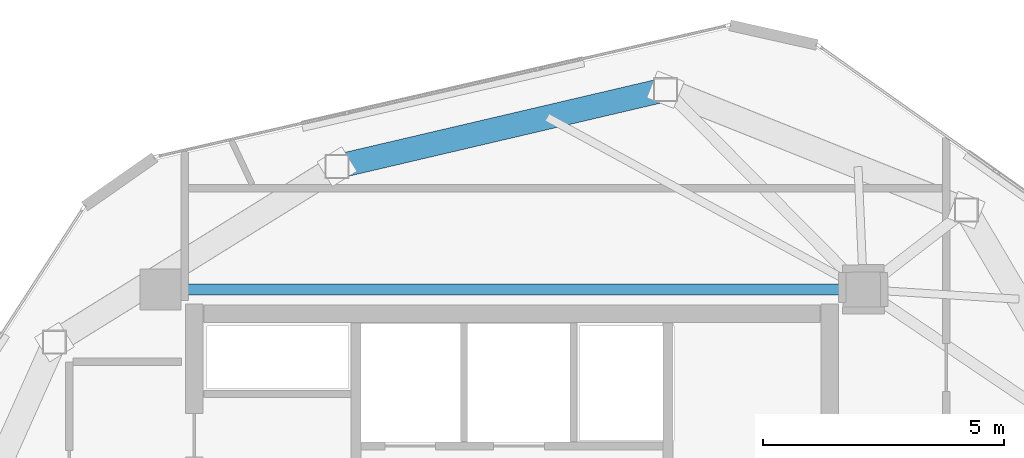
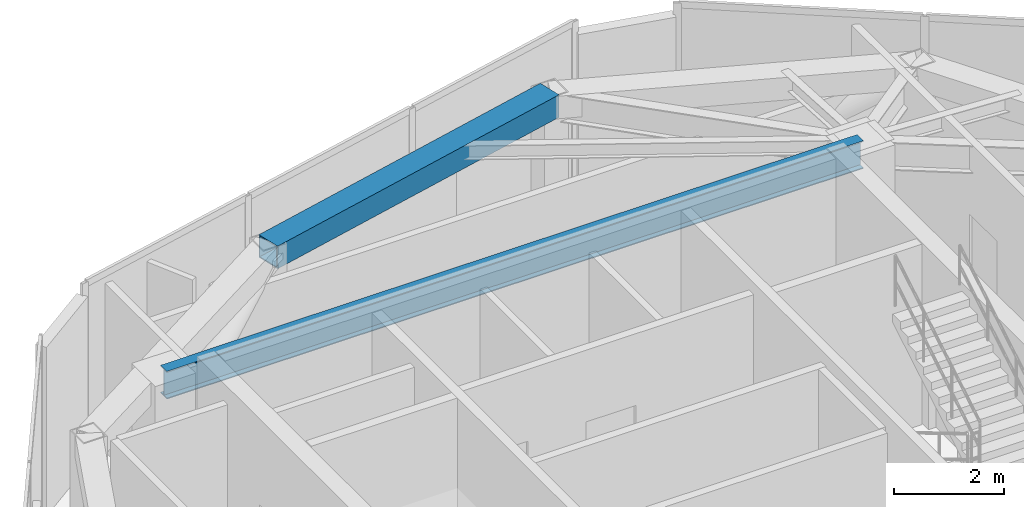
# One storey, part 11 of 21: 2 beams.
"""IFC4 building model written with IfcOpenShell, lengths in metres."""

from ifc_helpers import new_model, si_unit, direction, frame, origin, origin_2d, place, context, subcontext, project, spatial, hollow_rectangle, i_section, extrude, material, material_profile, profile_set, type_object, element, save


model = new_model("IFC4")

# Units and contexts
model_context = context("Model", 3, precision=1e-05, world=origin(), true_north=direction((0.0, 1.0)))
body_context = subcontext(model_context, "Body", "Model", "MODEL_VIEW")
ifc_project = project(units=[si_unit("LENGTHUNIT", "METRE"), si_unit("AREAUNIT", "SQUARE_METRE"), si_unit("VOLUMEUNIT", "CUBIC_METRE"), si_unit("PLANEANGLEUNIT", "RADIAN"), si_unit("MASSUNIT", "GRAM", prefix="KILO")], contexts=[model_context])

# Site, building, storey
site_placement = place(None, origin())
site = spatial("IfcSite", under=ifc_project, at=site_placement, CompositionType="ELEMENT")
building_placement = place(site_placement, origin())
building = spatial("IfcBuilding", under=site, at=building_placement, Name="Talar Marvaseh", CompositionType="ELEMENT")
storey_placement = place(building_placement, frame((0.0, 0.0, 308.0)))
storey = spatial("IfcBuildingStorey", under=building, at=storey_placement, Name="L82", CompositionType="ELEMENT", Elevation=308.0)

# Beams
ifc_material_1 = material(Name="Steel S460", Category="steel")
ifc_material_profile_1 = material_profile(ifc_material_1, hollow_rectangle(XDim=0.5, YDim=0.5, WallThickness=0.02490234375, at=origin_2d()), Name="BOX500x500x25")
ifc_profile_set_1 = profile_set([ifc_material_profile_1], Name="Steel S460")
beam_type_1 = type_object("IfcBeamType", Name="Crown Frame Top Ring Beam BOX500x500x25", PredefinedType="BEAM", material=ifc_profile_set_1)
beam_1_placement = place(storey_placement, frame((22.364990234375, 39.4541015625, 3.489990234375), z_axis=(0.973655602276, 0.228023613157, 0.0), x_axis=(-0.228023613157, 0.973655602276, 0.0)))
element("IfcBeam", 1, at=beam_1_placement, inside=storey, type_object=beam_type_1, Name="L82 Crown Frame Top Ring Beam BOX500x500x25", PredefinedType="BEAM", context=body_context, shape_type="SweptSolid", body=[
    extrude(hollow_rectangle(XDim=0.5, YDim=0.5, WallThickness=0.02490234375, at=origin_2d()), origin(), (0.0, 0.0, 1.0), 7.007568359375),
])
ifc_material_2 = material(Name="Steel S355", Category="steel")
ifc_material_profile_2 = material_profile(ifc_material_2, i_section(OverallWidth=0.22998046875, OverallDepth=0.616943359375, WebThickness=0.01318359375, FlangeThickness=0.022216796875, at=origin_2d()), Name="W610x140")
ifc_profile_set_2 = profile_set([ifc_material_profile_2], Name="Steel S355")
beam_type_2 = type_object("IfcBeamType", Name="Zone 4 Radial Floor Girder W610x140", PredefinedType="BEAM", material=ifc_profile_set_2)
beam_2_placement = place(storey_placement, frame((18.699951171875, 36.89990234375, 3.431396484375), z_axis=(1.0, 0.0, 0.0), x_axis=(0.0, 1.0, 0.0)))
element("IfcBeam", 2, at=beam_2_placement, inside=storey, type_object=beam_type_2, Name="L82 Zone 4 Radial Floor Girder W610x140", PredefinedType="BEAM", context=body_context, shape_type="SweptSolid", body=[
    extrude(i_section(OverallWidth=0.22998046875, OverallDepth=0.616943359375, WebThickness=0.01318359375, FlangeThickness=0.022216796875, at=origin_2d()), origin(), (0.0, 0.0, 1.0), 14.60009765625),
])

save(model, "model.ifc")
